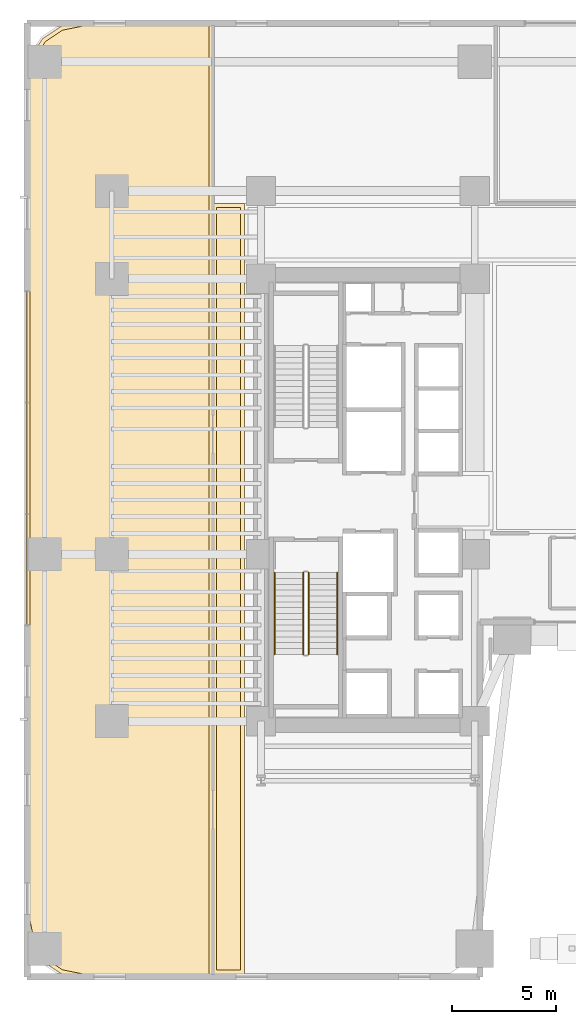
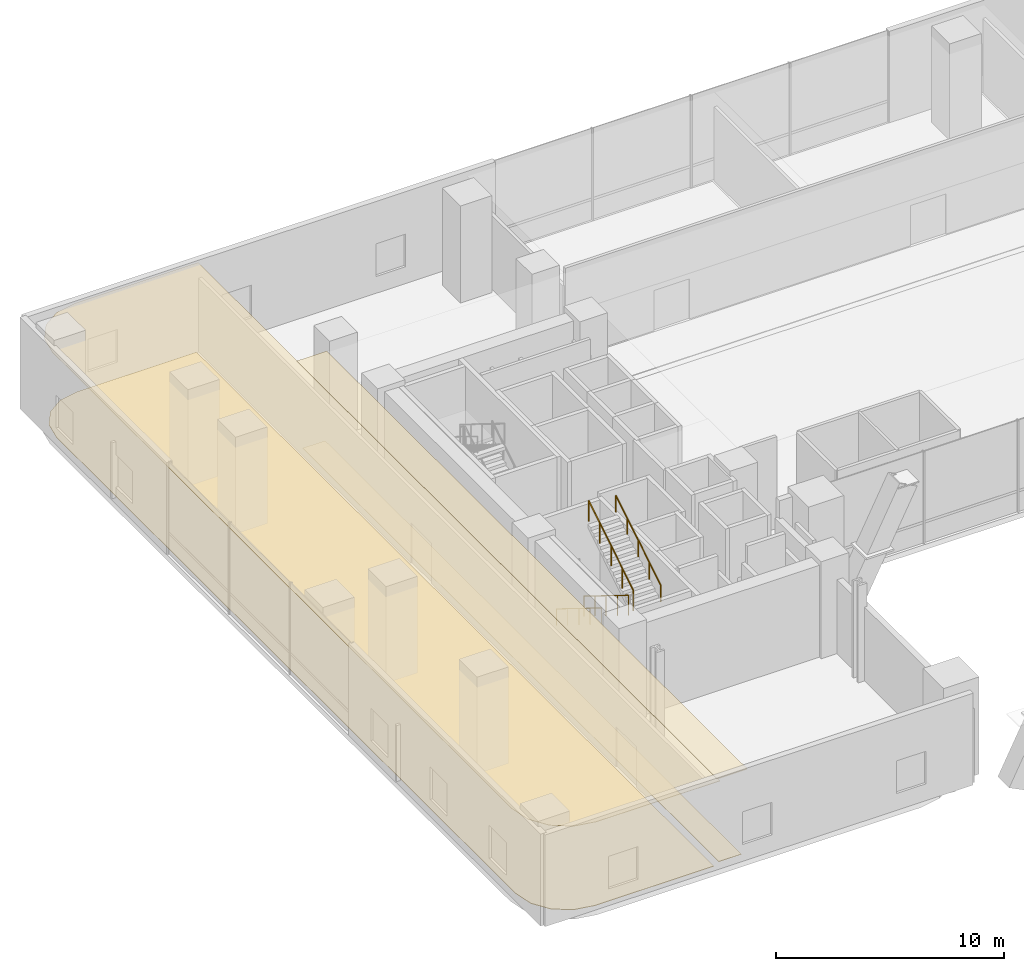
# One storey, part 32 of 39: 4 coverings, 4 railings.
"""IFC4 building model written with IfcOpenShell, lengths in metres."""

import ifcopenshell
import ifcopenshell.guid

model = None  # the IFC model being written
_history = None  # IfcOwnerHistory: only IFC2X3 demands one
_inside = {}  # id of a spatial element -> (the spatial element, [elements in it])
_under = {}  # id of a project, library or spatial element -> (it, [spatial elements below it])
_declared = {}  # id of a project -> (the project, [libraries it declares])
_typed = {}  # id of a type object -> (the type object, [elements of that type])
_made_of = {}  # id of a material, layer set ... -> (it, [elements and type objects made of it])


def new_model(schema):
    """Start an empty IFC model of exactly this schema.

    Asked for "IFC4X3", IfcOpenShell would pick the latest addendum, in which some entities
    have other attributes; the version numbers below select the first issue.
    IFC2X3 requires an IfcOwnerHistory on every rooted entity: one is made here for all.
    """
    global model, _history
    if schema == "IFC4X3":
        model = ifcopenshell.file(schema_version=(4, 3, 0, 0))
    else:
        model = ifcopenshell.file(schema=schema)
    _inside.clear()
    _under.clear()
    _declared.clear()
    _typed.clear()
    _made_of.clear()
    _history = None
    if model.schema == "IFC2X3":
        org = make("IfcOrganization", Name="unknown")
        user = make(
            "IfcPersonAndOrganization",
            ThePerson=make("IfcPerson", FamilyName="unknown"),
            TheOrganization=org,
        )
        app = make(
            "IfcApplication",
            ApplicationDeveloper=org,
            Version="unknown",
            ApplicationFullName="unknown",
            ApplicationIdentifier="unknown",
        )
        _history = make(
            "IfcOwnerHistory",
            OwningUser=user,
            OwningApplication=app,
            ChangeAction="ADDED",
            CreationDate=0,
        )
    return model


def make(cls, **values):
    """One entity of the class cls with the attributes given. An attribute that is None is left unset."""
    return model.create_entity(
        cls, **{name: value for name, value in values.items() if value is not None}
    )


def rooted(cls, **values):
    """An entity with a GlobalId (a new one), such as an element, a storey or a relation."""
    return make(cls, GlobalId=ifcopenshell.guid.new(), OwnerHistory=_history, **values)


def si_unit(unit_type, name, prefix=None):
    """IfcSIUnit, for example si_unit("LENGTHUNIT", "METRE", prefix="MILLI")."""
    return make("IfcSIUnit", UnitType=unit_type, Prefix=prefix, Name=name)


def assignment(units):
    """IfcUnitAssignment: the units of a project."""
    return None if units is None else make("IfcUnitAssignment", Units=units)


def point(xyz):
    """IfcCartesianPoint."""
    return None if xyz is None else make("IfcCartesianPoint", Coordinates=xyz)


def direction(xyz):
    """IfcDirection."""
    return None if xyz is None else make("IfcDirection", DirectionRatios=xyz)


def frame(location, z_axis=None, x_axis=None):
    """IfcAxis2Placement3D, a coordinate frame: its origin and axes. An axis left out is left unset."""
    return make(
        "IfcAxis2Placement3D",
        Location=point(location),
        Axis=direction(z_axis),
        RefDirection=direction(x_axis),
    )


def frame_2d(location, x_axis=None):
    """IfcAxis2Placement2D, a coordinate frame in the plane: its origin and x axis."""
    return make(
        "IfcAxis2Placement2D", Location=point(location), RefDirection=direction(x_axis)
    )


def origin():
    """The frame at (0, 0, 0) with its axes left unset."""
    return frame((0.0, 0.0, 0.0))


def origin_2d():
    """The frame at (0, 0) in the plane with its x axis left unset."""
    return frame_2d((0.0, 0.0))


def place(relative_to, where):
    """IfcLocalPlacement: puts the frame where relative to a parent placement (None: the world)."""
    return make(
        "IfcLocalPlacement", PlacementRelTo=relative_to, RelativePlacement=where
    )


def context(
    kind, dimensions, precision=None, world=None, true_north=None, identifier=None
):
    """IfcGeometricRepresentationContext, for example the 3D "Model" context."""
    return make(
        "IfcGeometricRepresentationContext",
        ContextIdentifier=identifier,
        ContextType=kind,
        CoordinateSpaceDimension=dimensions,
        Precision=precision,
        WorldCoordinateSystem=world,
        TrueNorth=true_north,
    )


def subcontext(parent, identifier, kind, view, scale=None):
    """IfcGeometricRepresentationSubContext, for example "Body" below "Model"."""
    return make(
        "IfcGeometricRepresentationSubContext",
        ContextIdentifier=identifier,
        ContextType=kind,
        ParentContext=parent,
        TargetScale=scale,
        TargetView=view,
    )


def project(units=None, contexts=None):
    """IfcProject with its units and contexts."""
    return rooted(
        "IfcProject",
        Name="project",
        RepresentationContexts=contexts,
        UnitsInContext=assignment(units),
    )


def spatial(cls, under=None, at=None, **own):
    """A site, building, storey or space (cls), placed at a placement, below another one or the project."""
    s = rooted(cls, ObjectPlacement=at, **own)
    if under is not None:
        _under.setdefault(under.id(), (under, []))[1].append(s)
    return s


def polyline(points):
    """IfcPolyline through the points."""
    return make("IfcPolyline", Points=[point(p) for p in points])


def profile(cls, at=None, kind="AREA", **sizes):
    """A parametric profile (cls). Its sizes go by their IFC names, for example OverallWidth=200.0."""
    return make(cls, ProfileType=kind, Position=at, **sizes)


def circle(**sizes):
    """IfcCircleProfileDef."""
    return profile("IfcCircleProfileDef", **sizes)


def outline(outer, holes=None, kind="AREA"):
    """IfcArbitraryClosedProfileDef: a profile drawn as a closed curve; with holes, ...WithVoids."""
    if holes is None:
        return make("IfcArbitraryClosedProfileDef", ProfileType=kind, OuterCurve=outer)
    return make(
        "IfcArbitraryProfileDefWithVoids",
        ProfileType=kind,
        OuterCurve=outer,
        InnerCurves=holes,
    )


def extrude(swept, where, along, depth):
    """IfcExtrudedAreaSolid: the profile swept, set in the frame where, extruded along a direction by depth."""
    return make(
        "IfcExtrudedAreaSolid",
        SweptArea=swept,
        Position=where,
        ExtrudedDirection=direction(along),
        Depth=depth,
    )


def shape(context_of_items, identifier, shape_type, items):
    """IfcShapeRepresentation: the items that make up one representation, for example the "Body"."""
    return make(
        "IfcShapeRepresentation",
        ContextOfItems=context_of_items,
        RepresentationIdentifier=identifier,
        RepresentationType=shape_type,
        Items=items,
    )


def material(Name=None, Category=None):
    """IfcMaterial."""
    return make("IfcMaterial", Name=Name, Category=Category)


def layer(
    of_material, thickness, ventilated=None, Name=None, Category=None, Priority=None
):
    """IfcMaterialLayer: one layer of a wall or slab, of a material (None: an air gap)."""
    return make(
        "IfcMaterialLayer",
        Material=of_material,
        LayerThickness=thickness,
        IsVentilated=ventilated,
        Name=Name,
        Category=Category,
        Priority=Priority,
    )


def layer_set(layers, Name=None):
    """IfcMaterialLayerSet."""
    return make("IfcMaterialLayerSet", MaterialLayers=layers, LayerSetName=Name)


def made_of(thing, what):
    """Note that an element or type object is made of a material, layer set ...; save() writes the relation."""
    if what is not None:
        _made_of.setdefault(what.id(), (what, []))[1].append(thing)
    return thing


def type_object(cls, material=None, **own):
    """A type object (cls), such as IfcWallType, which elements share."""
    return made_of(rooted(cls, **own), material)


def element(
    cls,
    number,
    at=None,
    inside=None,
    cuts=None,
    type_object=None,
    material=None,
    context=None,
    identifier="Body",
    shape_type=None,
    held_by="IfcProductDefinitionShape",
    body=None,
    shapes=None,
    **own,
):
    """One element of the class cls, such as IfcWall. Its Tag is "e" and its number.

    at: its placement. inside: the storey or other place that contains it. cuts: it is an
    opening in that element (IfcRelVoidsElement). A single representation is given by context,
    identifier, shape_type and body (its items); several are given by shapes. held_by: the class
    of the entity that holds the representations. save() writes the other relations.
    """
    e = rooted(cls, Tag="e%d" % number, ObjectPlacement=at, **own)
    if body is not None:
        shapes = [shape(context, identifier, shape_type, body)]
    if shapes is not None:
        e.Representation = make(held_by, Representations=shapes)
    if inside is not None:
        _inside.setdefault(inside.id(), (inside, []))[1].append(e)
    if cuts is not None:
        rooted(
            "IfcRelVoidsElement", RelatingBuildingElement=cuts, RelatedOpeningElement=e
        )
    if type_object is not None:
        _typed.setdefault(type_object.id(), (type_object, []))[1].append(e)
    return made_of(e, material)


def aggregate(whole, parts):
    """IfcRelAggregates: a whole, such as a stair, and the parts it consists of."""
    return rooted("IfcRelAggregates", RelatingObject=whole, RelatedObjects=parts)


def save(model, path):
    """Write the relations noted so far, then the file.

    IfcRelAggregates (storeys below a building ...), IfcRelContainedInSpatialStructure (elements
    in a storey), IfcRelDefinesByType, IfcRelAssociatesMaterial and IfcRelDeclares: one each for
    every whole, place, type object, material and project.
    """
    for whole, parts in _under.values():
        aggregate(whole, parts)
    for where, things in _inside.values():
        rooted(
            "IfcRelContainedInSpatialStructure",
            RelatedElements=things,
            RelatingStructure=where,
        )
    for kind, things in _typed.values():
        rooted("IfcRelDefinesByType", RelatedObjects=things, RelatingType=kind)
    for what, things in _made_of.values():
        rooted("IfcRelAssociatesMaterial", RelatedObjects=things, RelatingMaterial=what)
    for by, libraries in _declared.values():
        rooted("IfcRelDeclares", RelatingContext=by, RelatedDefinitions=libraries)
    model.write(path)


model = new_model("IFC4")

# Units and contexts
model_context = context("Model", 3, precision=1e-05, world=origin(), true_north=direction((0.0, 1.0)))
body_context = subcontext(model_context, "Body", "Model", "MODEL_VIEW")
ifc_project = project(units=[si_unit("LENGTHUNIT", "METRE"), si_unit("AREAUNIT", "SQUARE_METRE"), si_unit("VOLUMEUNIT", "CUBIC_METRE"), si_unit("PLANEANGLEUNIT", "RADIAN"), si_unit("MASSUNIT", "GRAM", prefix="KILO")], contexts=[model_context])

# Site, building, storey
site_placement = place(None, origin())
site = spatial("IfcSite", under=ifc_project, at=site_placement, CompositionType="ELEMENT")
building_placement = place(site_placement, origin())
building = spatial("IfcBuilding", under=site, at=building_placement, Name="Valdorenza Pilgrim Sanctuary Tower", CompositionType="ELEMENT")
storey_placement = place(building_placement, frame((0.0, 0.0, 10.39990234375)))
storey = spatial("IfcBuildingStorey", under=building, at=storey_placement, Name="L02", CompositionType="ELEMENT", Elevation=10.39990234375)

# Coverings
ifc_material_1 = material(Name="Micro-perforated acoustic mineral ceiling tile", Category="gypsum")
ifc_layer_1 = layer(ifc_material_1, 0.02490234375, Name="Micro-perforated acoustic mineral ceiling tile")
ifc_layer_set_1 = layer_set([ifc_layer_1], Name="Micro-perforated acoustic mineral ceiling tile")
covering_type_1 = type_object("IfcCoveringType", Name="COV-CLG-ACU", PredefinedType="CEILING", material=ifc_layer_set_1)
covering_1_placement = place(storey_placement, frame((0.0, 0.0, 4.6201171875)))
element("IfcCovering", 1, at=covering_1_placement, inside=storey, type_object=covering_type_1, Name="L02 Main Pilgrim Dining Restaurant Acoustic Ceiling", PredefinedType="CEILING", context=body_context, shape_type="SweptSolid", body=[
    extrude(outline(polyline([(-31.189208984375, -22.905029296875), (-31.190673828125, -22.90478515625), (-31.192138671875, -22.90478515625), (-32.2314453125, -22.697998046875), (-32.23291015625, -22.697509765625), (-32.234375, -22.697021484375), (-32.235595703125, -22.696533203125), (-32.23681640625, -22.69580078125), (-33.10888671875, -22.113037109375), (-33.110107421875, -22.1123046875), (-33.111083984375, -22.111083984375), (-33.1123046875, -22.110107421875), (-33.113037109375, -22.10888671875), (-33.69580078125, -21.23681640625), (-33.696533203125, -21.235595703125), (-33.697021484375, -21.234375), (-33.697509765625, -21.23291015625), (-33.697998046875, -21.2314453125), (-33.90478515625, -20.192138671875), (-33.90478515625, -20.190673828125), (-33.905029296875, -20.189208984375), (-33.905029296875, 20.189208984375), (-33.90478515625, 20.190673828125), (-33.90478515625, 20.192138671875), (-33.697998046875, 21.2314453125), (-33.697509765625, 21.23291015625), (-33.697021484375, 21.234375), (-33.696533203125, 21.235595703125), (-33.69580078125, 21.23681640625), (-33.113037109375, 22.10888671875), (-33.1123046875, 22.110107421875), (-33.111083984375, 22.111083984375), (-33.110107421875, 22.1123046875), (-33.10888671875, 22.113037109375), (-32.23681640625, 22.69580078125), (-32.235595703125, 22.696533203125), (-32.234375, 22.697021484375), (-32.23291015625, 22.697509765625), (-32.2314453125, 22.697998046875), (-31.192138671875, 22.90478515625), (-31.190673828125, 22.90478515625), (-31.189208984375, 22.905029296875), (-24.949951171875, 22.905029296875), (-24.948486328125, 22.90478515625), (-24.947021484375, 22.90478515625), (-24.945556640625, 22.904296875), (-24.9443359375, 22.90380859375), (-24.94287109375, 22.9033203125), (-24.941650390625, 22.902587890625), (-24.9404296875, 22.901611328125), (-24.939453125, 22.900634765625), (-24.9384765625, 22.8994140625), (-24.9375, 22.898193359375), (-24.936767578125, 22.897216796875), (-24.93603515625, 22.895751953125), (-24.935546875, 22.894287109375), (-24.935302734375, 22.892822265625), (-24.93505859375, 22.8916015625), (-24.93505859375, 22.889892578125), (-24.93505859375, -22.889892578125), (-24.93505859375, -22.8916015625), (-24.935302734375, -22.892822265625), (-24.935546875, -22.894287109375), (-24.93603515625, -22.895751953125), (-24.936767578125, -22.897216796875), (-24.9375, -22.898193359375), (-24.9384765625, -22.8994140625), (-24.939453125, -22.900634765625), (-24.9404296875, -22.901611328125), (-24.941650390625, -22.902587890625), (-24.94287109375, -22.9033203125), (-24.9443359375, -22.90380859375), (-24.945556640625, -22.904296875), (-24.947021484375, -22.90478515625), (-24.948486328125, -22.90478515625), (-24.949951171875, -22.905029296875), (-31.189208984375, -22.905029296875)])), origin(), (0.0, 0.0, 1.0), 0.02490234375),
])
covering_2_placement = place(storey_placement, frame((0.0, 0.0, 4.6201171875)))
element("IfcCovering", 2, at=covering_2_placement, inside=storey, type_object=covering_type_1, Name="L02 L02 Podium West Corridor Acoustic Ceiling", PredefinedType="CEILING", context=body_context, shape_type="SweptSolid", body=[
    extrude(outline(polyline([(-23.449951171875, 14.215087890625), (-23.448486328125, 14.21484375), (-23.447021484375, 14.214599609375), (-23.445556640625, 14.21435546875), (-23.4443359375, 14.2138671875), (-23.44287109375, 14.213134765625), (-23.441650390625, 14.21240234375), (-23.4404296875, 14.211669921875), (-23.439453125, 14.210693359375), (-23.4384765625, 14.20947265625), (-23.4375, 14.208251953125), (-23.436767578125, 14.20703125), (-23.43603515625, 14.205810546875), (-23.435546875, 14.204345703125), (-23.435302734375, 14.202880859375), (-23.43505859375, 14.201416015625), (-23.43505859375, 14.199951171875), (-23.43505859375, -22.699951171875), (-23.43505859375, -22.701416015625), (-23.435302734375, -22.702880859375), (-23.435546875, -22.704345703125), (-23.43603515625, -22.705810546875), (-23.436767578125, -22.70703125), (-23.4375, -22.708251953125), (-23.4384765625, -22.70947265625), (-23.439453125, -22.710693359375), (-23.4404296875, -22.711669921875), (-23.441650390625, -22.71240234375), (-23.44287109375, -22.713134765625), (-23.4443359375, -22.7138671875), (-23.445556640625, -22.71435546875), (-23.447021484375, -22.714599609375), (-23.448486328125, -22.71484375), (-23.449951171875, -22.715087890625), (-24.947998046875, -22.715087890625), (-24.949462890625, -22.71484375), (-24.950927734375, -22.714599609375), (-24.952392578125, -22.71435546875), (-24.95361328125, -22.7138671875), (-24.955078125, -22.713134765625), (-24.956298828125, -22.71240234375), (-24.95751953125, -22.711669921875), (-24.95849609375, -22.710693359375), (-24.959716796875, -22.70947265625), (-24.96044921875, -22.708251953125), (-24.961181640625, -22.70703125), (-24.9619140625, -22.705810546875), (-24.96240234375, -22.704345703125), (-24.962646484375, -22.702880859375), (-24.962890625, -22.701416015625), (-24.962890625, -22.699951171875), (-24.962890625, 14.199951171875), (-24.962890625, 14.201416015625), (-24.962646484375, 14.202880859375), (-24.96240234375, 14.204345703125), (-24.9619140625, 14.205810546875), (-24.961181640625, 14.20703125), (-24.96044921875, 14.208251953125), (-24.959716796875, 14.20947265625), (-24.95849609375, 14.210693359375), (-24.95751953125, 14.211669921875), (-24.956298828125, 14.21240234375), (-24.955078125, 14.213134765625), (-24.95361328125, 14.2138671875), (-24.952392578125, 14.21435546875), (-24.950927734375, 14.214599609375), (-24.949462890625, 14.21484375), (-24.947998046875, 14.215087890625), (-23.449951171875, 14.215087890625)])), origin(), (0.0, 0.0, 1.0), 0.02490234375),
])
ifc_material_2 = material(Name="Honed travertine stone flooring", Category="masonry")
ifc_layer_2 = layer(ifc_material_2, 0.030029296875, Name="Honed travertine stone flooring")
ifc_layer_set_2 = layer_set([ifc_layer_2], Name="Honed travertine stone flooring")
covering_type_2 = type_object("IfcCoveringType", Name="COV-FLR-TRV", PredefinedType="FLOORING", material=ifc_layer_set_2)
covering_3_placement = place(storey_placement, origin())
element("IfcCovering", 3, at=covering_3_placement, inside=storey, type_object=covering_type_2, Name="L02 Main Pilgrim Dining Restaurant Flooring", PredefinedType="FLOORING", context=body_context, shape_type="SweptSolid", body=[
    extrude(outline(polyline([(-31.17138671875, -22.7099609375), (-32.158203125, -22.513671875), (-32.970703125, -21.970703125), (-33.513671875, -21.158203125), (-33.7099609375, -20.17138671875), (-33.7099609375, 20.17138671875), (-33.513671875, 21.158203125), (-32.970703125, 21.970703125), (-32.158203125, 22.513671875), (-31.17138671875, 22.7099609375), (-25.1298828125, 22.7099609375), (-25.1298828125, -22.7099609375), (-31.17138671875, -22.7099609375)])), origin(), (0.0, 0.0, 1.0), 0.025146484375),
])
covering_4_placement = place(storey_placement, origin())
element("IfcCovering", 4, at=covering_4_placement, inside=storey, type_object=covering_type_2, Name="L02 L02 Podium West Corridor Flooring", PredefinedType="FLOORING", context=body_context, shape_type="SweptSolid", body=[
    extrude(outline(polyline([(-23.6298828125, 14.02001953125), (-23.6298828125, -22.52001953125), (-24.76806640625, -22.52001953125), (-24.76806640625, 14.02001953125), (-23.6298828125, 14.02001953125)])), origin(), (0.0, 0.0, 1.0), 0.025146484375),
])

# Railings
ifc_material_3 = material(Name="Stainless steel Grade 316", Category="steel")
railing_type_1 = type_object("IfcRailingType", Name="RLG-GRD-1120", PredefinedType="GUARDRAIL", material=ifc_material_3)
railing_1_placement = place(storey_placement, frame((-20.6201171875, -3.47998046875, 0.17333984375)))
element("IfcRailing", 5, at=railing_1_placement, inside=storey, type_object=railing_type_1, Name="L02 ST-A2 stair guard 1", PredefinedType="GUARDRAIL", context=body_context, shape_type="SweptSolid", body=[
    extrude(circle(Radius=0.02392578125, at=origin_2d()), frame((0.0, 0.0, 1.076171875), z_axis=(0.0, -0.850251603719, 0.526376491091), x_axis=(1.0, 0.0, 0.0)), (0.0, 0.0, 1.0), 4.6103515625),
    extrude(circle(Radius=0.02099609375, at=origin_2d()), origin(), (0.0, 0.0, 1.0), 1.052001953125),
    extrude(circle(Radius=0.02099609375, at=origin_2d()), frame((0.0, -0.97998046875, 0.606689453125)), (0.0, 0.0, 1.0), 1.052001953125),
    extrude(circle(Radius=0.02099609375, at=origin_2d()), frame((0.0, -1.9599609375, 1.21337890625)), (0.0, 0.0, 1.0), 1.052001953125),
    extrude(circle(Radius=0.02099609375, at=origin_2d()), frame((0.0, -2.93994140625, 1.820068359375)), (0.0, 0.0, 1.0), 1.052001953125),
    extrude(circle(Radius=0.02099609375, at=origin_2d()), frame((0.0, -3.919921875, 2.4267578125)), (0.0, 0.0, 1.0), 1.052001953125),
])
railing_2_placement = place(storey_placement, frame((-20.3701171875, -7.39990234375, 2.7734375)))
element("IfcRailing", 6, at=railing_2_placement, inside=storey, type_object=railing_type_1, Name="L02 ST-A2 stair guard 3", PredefinedType="GUARDRAIL", context=body_context, shape_type="SweptSolid", body=[
    extrude(circle(Radius=0.02392578125, at=origin_2d()), frame((0.0, 0.0, 1.076171875), z_axis=(0.0, 0.850251603719, 0.526376491091), x_axis=(-1.0, 0.0, 0.0)), (0.0, 0.0, 1.0), 4.6103515625),
    extrude(circle(Radius=0.02099609375, at=origin_2d()), origin(), (0.0, 0.0, 1.0), 1.052001953125),
    extrude(circle(Radius=0.02099609375, at=origin_2d()), frame((0.0, 0.97998046875, 0.606689453125)), (0.0, 0.0, 1.0), 1.052001953125),
    extrude(circle(Radius=0.02099609375, at=origin_2d()), frame((0.0, 1.9599609375, 1.21337890625)), (0.0, 0.0, 1.0), 1.052001953125),
    extrude(circle(Radius=0.02099609375, at=origin_2d()), frame((0.0, 2.93994140625, 1.820068359375)), (0.0, 0.0, 1.0), 1.052001953125),
    extrude(circle(Radius=0.02099609375, at=origin_2d()), frame((0.0, 3.919921875, 2.4267578125)), (0.0, 0.0, 1.0), 1.052001953125),
])
ifc_material_4 = material(Name="Brushed stainless steel Grade 316", Category="steel")
railing_type_2 = type_object("IfcRailingType", Name="RLG-HND-920", PredefinedType="HANDRAIL", material=ifc_material_4)
railing_3_placement = place(storey_placement, frame((-22.0, -3.47998046875, 0.17333984375)))
element("IfcRailing", 7, at=railing_3_placement, inside=storey, type_object=railing_type_2, Name="L02 ST-A2 stair handrail 1", PredefinedType="HANDRAIL", context=body_context, shape_type="SweptSolid", body=[
    extrude(circle(Radius=0.02392578125, at=origin_2d()), frame((0.0, 0.0, 0.8759765625), z_axis=(0.0, -0.850251603719, 0.526376491091), x_axis=(1.0, 0.0, 0.0)), (0.0, 0.0, 1.0), 4.6103515625),
    extrude(circle(Radius=0.02099609375, at=origin_2d()), origin(), (0.0, 0.0, 1.0), 0.851806640625),
    extrude(circle(Radius=0.02099609375, at=origin_2d()), frame((0.0, -0.97998046875, 0.606689453125)), (0.0, 0.0, 1.0), 0.851806640625),
    extrude(circle(Radius=0.02099609375, at=origin_2d()), frame((0.0, -1.9599609375, 1.21337890625)), (0.0, 0.0, 1.0), 0.851806640625),
    extrude(circle(Radius=0.02099609375, at=origin_2d()), frame((0.0, -2.93994140625, 1.820068359375)), (0.0, 0.0, 1.0), 0.851806640625),
    extrude(circle(Radius=0.02099609375, at=origin_2d()), frame((0.0, -3.919921875, 2.4267578125)), (0.0, 0.0, 1.0), 0.851806640625),
])
railing_4_placement = place(storey_placement, frame((-18.989990234375, -7.39990234375, 2.7734375)))
element("IfcRailing", 8, at=railing_4_placement, inside=storey, type_object=railing_type_2, Name="L02 ST-A2 stair handrail 2", PredefinedType="HANDRAIL", context=body_context, shape_type="SweptSolid", body=[
    extrude(circle(Radius=0.02392578125, at=origin_2d()), frame((0.0, 0.0, 0.8759765625), z_axis=(0.0, 0.850251603719, 0.526376491091), x_axis=(-1.0, 0.0, 0.0)), (0.0, 0.0, 1.0), 4.6103515625),
    extrude(circle(Radius=0.02099609375, at=origin_2d()), origin(), (0.0, 0.0, 1.0), 0.851806640625),
    extrude(circle(Radius=0.02099609375, at=origin_2d()), frame((0.0, 0.97998046875, 0.606689453125)), (0.0, 0.0, 1.0), 0.851806640625),
    extrude(circle(Radius=0.02099609375, at=origin_2d()), frame((0.0, 1.9599609375, 1.21337890625)), (0.0, 0.0, 1.0), 0.851806640625),
    extrude(circle(Radius=0.02099609375, at=origin_2d()), frame((0.0, 2.93994140625, 1.820068359375)), (0.0, 0.0, 1.0), 0.851806640625),
    extrude(circle(Radius=0.02099609375, at=origin_2d()), frame((0.0, 3.919921875, 2.4267578125)), (0.0, 0.0, 1.0), 0.851806640625),
])

save(model, "model.ifc")
